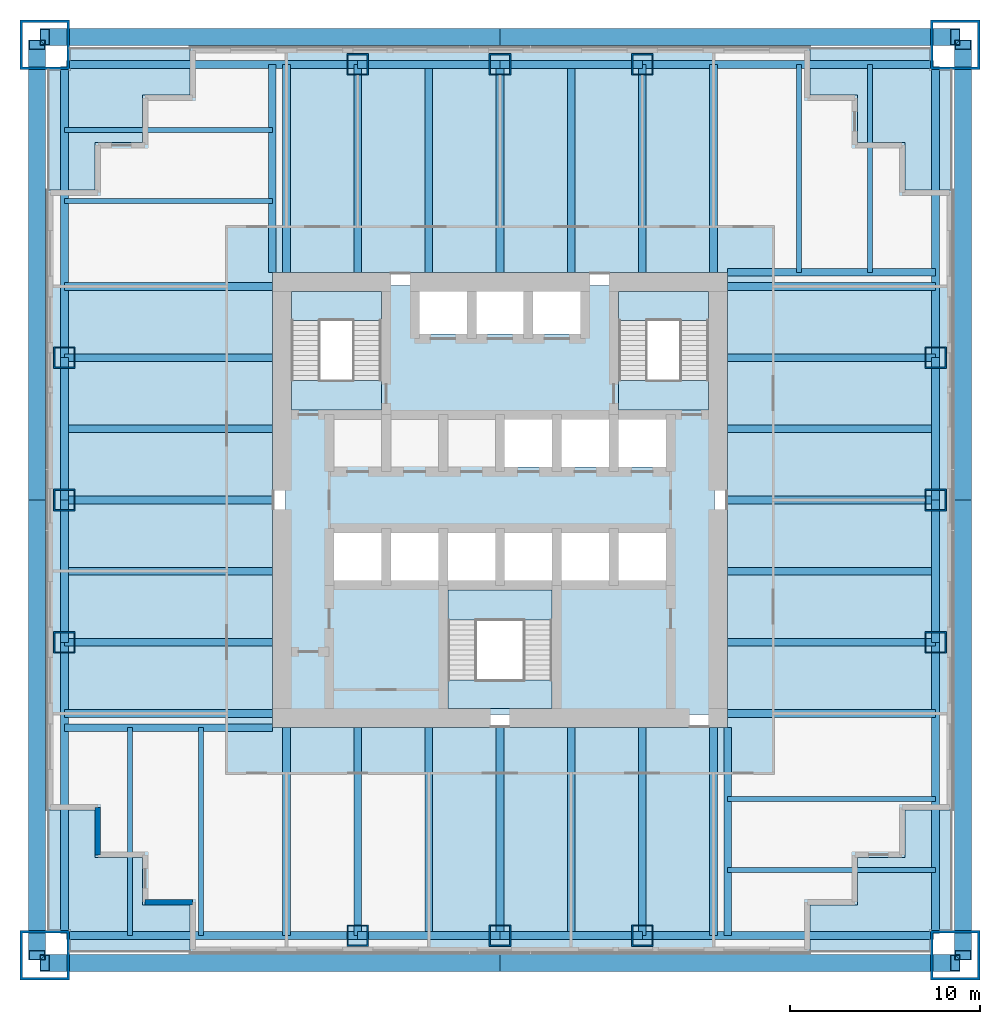
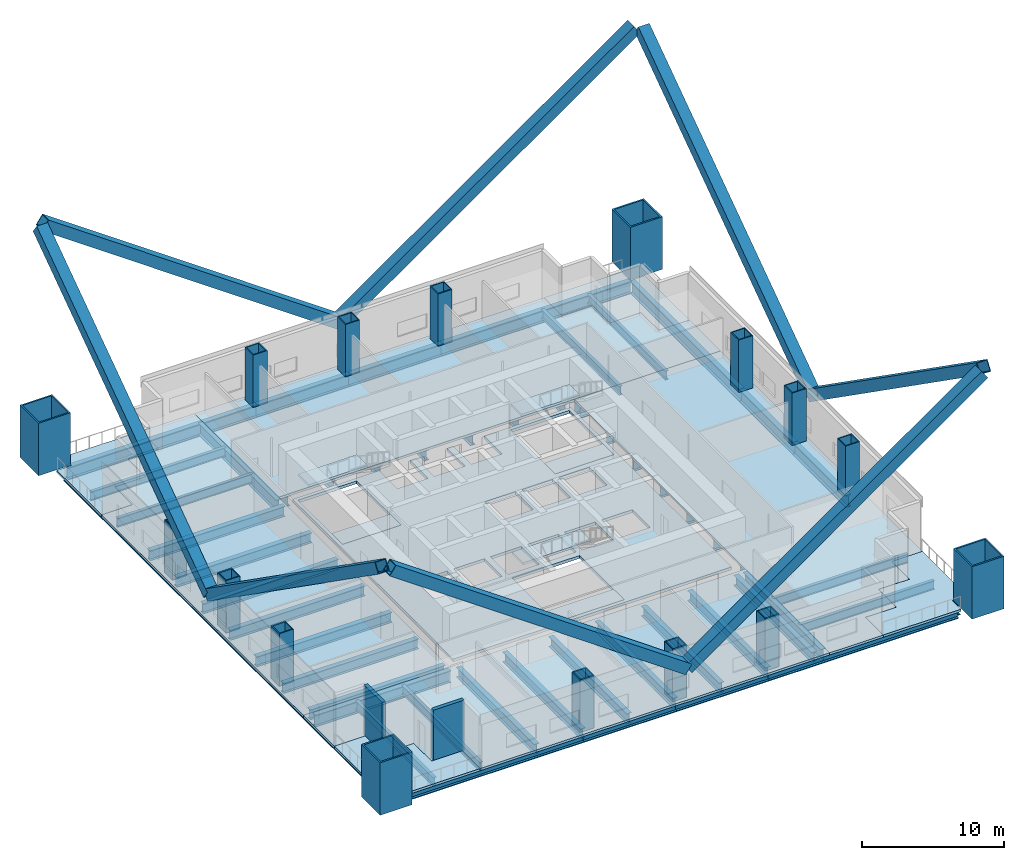
# One storey, part 1 of 7: 56 beams, 16 columns, 15 slabs, 8 members, 2 walls, 3 elements without a shape of their own.
"""IFC4 building model written with IfcOpenShell, lengths in metres."""

from ifc_helpers import new_model, si_unit, direction, frame, frame_2d, origin, origin_2d, place, context, subcontext, project, spatial, polyline, rectangle, hollow_rectangle, i_section, outline, extrude, material, layer, layer_set, material_profile, profile_set, type_object, element, aggregate, save


model = new_model("IFC4")

# Units and contexts
model_context = context("Model", 3, precision=1e-05, world=origin(), true_north=direction((0.0, 1.0)))
body_context = subcontext(model_context, "Body", "Model", "MODEL_VIEW")
ifc_project = project(units=[si_unit("LENGTHUNIT", "METRE"), si_unit("AREAUNIT", "SQUARE_METRE"), si_unit("VOLUMEUNIT", "CUBIC_METRE"), si_unit("PLANEANGLEUNIT", "RADIAN"), si_unit("MASSUNIT", "GRAM", prefix="KILO")], contexts=[model_context])

# Site, building, storey
site_placement = place(None, origin())
site = spatial("IfcSite", under=ifc_project, at=site_placement, CompositionType="ELEMENT")
building_placement = place(site_placement, origin())
building = spatial("IfcBuilding", under=site, at=building_placement, Name="Tarangal Relay Tower", CompositionType="ELEMENT")
storey_placement = place(building_placement, frame((0.0, 0.0, 117.89990234375)))
storey = spatial("IfcBuildingStorey", under=building, at=storey_placement, Name="L23", CompositionType="ELEMENT", Elevation=117.89990234375)

# Columns
ifc_material_1 = material(Name="Steel ASTM A572 Grade 42", Category="steel")
ifc_material_profile_1 = material_profile(ifc_material_1, hollow_rectangle(XDim=2.60009765625, YDim=2.60009765625, WallThickness=0.1298828125, at=origin_2d()), Name="BOX2600X2600X130")
ifc_profile_set_1 = profile_set([ifc_material_profile_1], Name="Steel ASTM A572 Grade 42")
column_type_1 = type_object("IfcColumnType", Name="Mega column BOX2600X2600X130", PredefinedType="COLUMN", material=ifc_profile_set_1)
for number, where, z_axis, x_axis, name in (
    (1, (24.0, 24.0, 0.0), (0.0, 0.0, 1.0), (1.0, 0.0, 0.0), "Mega column MC2 NE L23"),
    (2, (24.0, -24.0, 0.0), (0.0, 0.0, 1.0), (1.0, 0.0, 0.0), "Mega column MC2 SE L23"),
    (3, (-24.0, -24.0, 0.0), (0.0, 0.0, 1.0), (1.0, 0.0, 0.0), "Mega column MC2 SW L23"),
    (4, (-24.0, 24.0, 0.0), (0.0, 0.0, 1.0), (1.0, 0.0, 0.0), "Mega column MC2 NW L23"),
):
    element("IfcColumn", number, at=place(storey_placement, frame(where, z_axis=z_axis, x_axis=x_axis)), inside=storey, type_object=column_type_1, Name=name, PredefinedType="COLUMN", context=body_context, shape_type="SweptSolid", body=[
        extrude(hollow_rectangle(XDim=2.60009765625, YDim=2.60009765625, WallThickness=0.1298828125, at=origin_2d()), origin(), (0.0, 0.0, 1.0), 4.5),
    ])
ifc_material_2 = material(Name="Steel ASTM A572 Grade 50", Category="steel")
ifc_material_profile_2 = material_profile(ifc_material_2, hollow_rectangle(XDim=1.14990234375, YDim=1.14990234375, WallThickness=0.074951171875, at=origin_2d()), Name="BOX1150X1150X75")
ifc_profile_set_2 = profile_set([ifc_material_profile_2], Name="Steel ASTM A572 Grade 50")
column_type_2 = type_object("IfcColumnType", Name="Perimeter column BOX1150X1150X75", PredefinedType="COLUMN", material=ifc_profile_set_2)
for number, where, z_axis, x_axis, name in (
    (5, (-7.5, 22.965087890625, 0.0), (0.0, 0.0, 1.0), (1.0, 0.0, 0.0), "Perimeter column PC3 N L23"),
    (6, (0.0, 22.965087890625, 0.0), (0.0, 0.0, 1.0), (1.0, 0.0, 0.0), "Perimeter column PC3 N L23"),
    (7, (7.5, 22.965087890625, 0.0), (0.0, 0.0, 1.0), (1.0, 0.0, 0.0), "Perimeter column PC3 N L23"),
    (8, (22.965087890625, 7.5, 0.0), (0.0, 0.0, 1.0), (1.0, 0.0, 0.0), "Perimeter column PC3 E L23"),
    (9, (22.965087890625, 0.0, 0.0), (0.0, 0.0, 1.0), (1.0, 0.0, 0.0), "Perimeter column PC3 E L23"),
    (10, (22.965087890625, -7.5, 0.0), (0.0, 0.0, 1.0), (1.0, 0.0, 0.0), "Perimeter column PC3 E L23"),
    (11, (7.5, -22.965087890625, 0.0), (0.0, 0.0, 1.0), (1.0, 0.0, 0.0), "Perimeter column PC3 S L23"),
    (12, (0.0, -22.965087890625, 0.0), (0.0, 0.0, 1.0), (1.0, 0.0, 0.0), "Perimeter column PC3 S L23"),
    (13, (-7.5, -22.965087890625, 0.0), (0.0, 0.0, 1.0), (1.0, 0.0, 0.0), "Perimeter column PC3 S L23"),
    (14, (-22.965087890625, -7.5, 0.0), (0.0, 0.0, 1.0), (1.0, 0.0, 0.0), "Perimeter column PC3 W L23"),
    (15, (-22.965087890625, 0.0, 0.0), (0.0, 0.0, 1.0), (1.0, 0.0, 0.0), "Perimeter column PC3 W L23"),
    (16, (-22.965087890625, 7.5, 0.0), (0.0, 0.0, 1.0), (1.0, 0.0, 0.0), "Perimeter column PC3 W L23"),
):
    element("IfcColumn", number, at=place(storey_placement, frame(where, z_axis=z_axis, x_axis=x_axis)), inside=storey, type_object=column_type_2, Name=name, PredefinedType="COLUMN", context=body_context, shape_type="SweptSolid", body=[
        extrude(hollow_rectangle(XDim=1.14990234375, YDim=1.14990234375, WallThickness=0.074951171875, at=origin_2d()), origin(), (0.0, 0.0, 1.0), 4.5),
    ])

# Beams
ifc_material_3 = material(Name="Steel ASTM A992", Category="steel")
ifc_material_profile_3 = material_profile(ifc_material_3, i_section(OverallWidth=0.2666015625, OverallDepth=0.76953125, WebThickness=0.015625, FlangeThickness=0.025390625, at=origin_2d()), Name="W30X132")
ifc_profile_set_3 = profile_set([ifc_material_profile_3], Name="Steel ASTM A992")
beam_type_1 = type_object("IfcBeamType", Name="Corner beam W30X132", PredefinedType="JOIST", material=ifc_profile_set_3)
for number, where, z_axis, x_axis, name in (
    (17, (15.75, 12.0, -0.584716796875), (0.0, 1.0, 0.0), (-1.0, 0.0, 0.0), "Corner beam CB13 N L23"),
    (18, (19.5, 12.0, -0.584716796875), (0.0, 1.0, 0.0), (-1.0, 0.0, 0.0), "Corner beam CB13 N L23"),
    (19, (12.0, -15.75, -0.584716796875), (1.0, 0.0, 0.0), (0.0, 1.0, 0.0), "Corner beam CB13 E L23"),
    (20, (12.0, -19.5, -0.584716796875), (1.0, 0.0, 0.0), (0.0, 1.0, 0.0), "Corner beam CB13 E L23"),
    (21, (-15.75, -12.0, -0.584716796875), (0.0, -1.0, 0.0), (1.0, 0.0, 0.0), "Corner beam CB13 S L23"),
    (22, (-19.5, -12.0, -0.584716796875), (0.0, -1.0, 0.0), (1.0, 0.0, 0.0), "Corner beam CB13 S L23"),
    (23, (-12.0, 15.75, -0.584716796875), (-1.0, 0.0, 0.0), (0.0, -1.0, 0.0), "Corner beam CB13 W L23"),
    (24, (-12.0, 19.5, -0.584716796875), (-1.0, 0.0, 0.0), (0.0, -1.0, 0.0), "Corner beam CB13 W L23"),
):
    element("IfcBeam", number, at=place(storey_placement, frame(where, z_axis=z_axis, x_axis=x_axis)), inside=storey, type_object=beam_type_1, Name=name, PredefinedType="JOIST", context=body_context, shape_type="SweptSolid", body=[
        extrude(i_section(OverallWidth=0.2666015625, OverallDepth=0.76953125, WebThickness=0.015625, FlangeThickness=0.025390625, at=origin_2d()), origin(), (0.0, 0.0, 1.0), 10.965087890625),
    ])
ifc_material_profile_4 = material_profile(ifc_material_3, i_section(OverallWidth=0.4013671875, OverallDepth=1.01611328125, WebThickness=0.02099609375, FlangeThickness=0.0400390625, at=origin_2d()), Name="W40X277")
ifc_profile_set_4 = profile_set([ifc_material_profile_4], Name="Steel ASTM A992")
beam_type_2 = type_object("IfcBeamType", Name="Corner girder W40X277", PredefinedType="BEAM", material=ifc_profile_set_4)
for number, where, z_axis, x_axis, name in (
    (25, (12.0, 12.0, -0.7080078125), (1.0, 0.0, 0.0), (0.0, 1.0, 0.0), "Corner girder CG3 N L23"),
    (26, (12.0, -12.0, -0.7080078125), (0.0, -1.0, 0.0), (1.0, 0.0, 0.0), "Corner girder CG3 E L23"),
    (27, (-12.0, -12.0, -0.7080078125), (-1.0, 0.0, 0.0), (0.0, -1.0, 0.0), "Corner girder CG3 S L23"),
    (28, (-12.0, 12.0, -0.7080078125), (0.0, 1.0, 0.0), (-1.0, 0.0, 0.0), "Corner girder CG3 W L23"),
):
    element("IfcBeam", number, at=place(storey_placement, frame(where, z_axis=z_axis, x_axis=x_axis)), inside=storey, type_object=beam_type_2, Name=name, PredefinedType="BEAM", context=body_context, shape_type="SweptSolid", body=[
        extrude(i_section(OverallWidth=0.4013671875, OverallDepth=1.01611328125, WebThickness=0.02099609375, FlangeThickness=0.0400390625, at=origin_2d()), origin(), (0.0, 0.0, 1.0), 10.965087890625),
    ])
ifc_material_profile_5 = material_profile(ifc_material_3, i_section(OverallWidth=0.41650390625, OverallDepth=1.0693359375, WebThickness=0.0390625, FlangeThickness=0.070068359375, at=origin_2d()), Name="W40X503")
ifc_profile_set_5 = profile_set([ifc_material_profile_5], Name="Steel ASTM A992")
beam_type_3 = type_object("IfcBeamType", Name="Edge girder W40X503", PredefinedType="SPANDREL", material=ifc_profile_set_5)
beam_1_placement = place(storey_placement, frame((-22.85009765625, 22.965087890625, -0.734619140625), z_axis=(1.0, 0.0, 0.0), x_axis=(0.0, 1.0, 0.0)))
element("IfcBeam", 29, at=beam_1_placement, inside=storey, type_object=beam_type_3, Name="Edge girder EG8 N L23", PredefinedType="SPANDREL", context=body_context, shape_type="SweptSolid", body=[
    extrude(i_section(OverallWidth=0.41650390625, OverallDepth=1.0693359375, WebThickness=0.0390625, FlangeThickness=0.070068359375, at=origin_2d()), origin(), (0.0, 0.0, 1.0), 15.35009765625),
])
for number, where, z_axis, x_axis, name in (
    (30, (-7.5, 22.965087890625, -0.734619140625), (1.0, 0.0, 0.0), (0.0, 1.0, 0.0), "Edge girder EG8 N L23"),
    (31, (0.0, 22.965087890625, -0.734619140625), (1.0, 0.0, 0.0), (0.0, 1.0, 0.0), "Edge girder EG8 N L23"),
):
    element("IfcBeam", number, at=place(storey_placement, frame(where, z_axis=z_axis, x_axis=x_axis)), inside=storey, type_object=beam_type_3, Name=name, PredefinedType="SPANDREL", context=body_context, shape_type="SweptSolid", body=[
        extrude(i_section(OverallWidth=0.41650390625, OverallDepth=1.0693359375, WebThickness=0.0390625, FlangeThickness=0.070068359375, at=origin_2d()), origin(), (0.0, 0.0, 1.0), 7.5),
    ])
for number, where, z_axis, x_axis, name in (
    (32, (7.5, 22.965087890625, -0.734619140625), (1.0, 0.0, 0.0), (0.0, 1.0, 0.0), "Edge girder EG8 N L23"),
    (33, (22.965087890625, 22.85009765625, -0.734619140625), (0.0, -1.0, 0.0), (1.0, 0.0, 0.0), "Edge girder EG8 E L23"),
):
    element("IfcBeam", number, at=place(storey_placement, frame(where, z_axis=z_axis, x_axis=x_axis)), inside=storey, type_object=beam_type_3, Name=name, PredefinedType="SPANDREL", context=body_context, shape_type="SweptSolid", body=[
        extrude(i_section(OverallWidth=0.41650390625, OverallDepth=1.0693359375, WebThickness=0.0390625, FlangeThickness=0.070068359375, at=origin_2d()), origin(), (0.0, 0.0, 1.0), 15.35009765625),
    ])
for number, where, z_axis, x_axis, name in (
    (34, (22.965087890625, 7.5, -0.734619140625), (0.0, -1.0, 0.0), (1.0, 0.0, 0.0), "Edge girder EG8 E L23"),
    (35, (22.965087890625, 0.0, -0.734619140625), (0.0, -1.0, 0.0), (1.0, 0.0, 0.0), "Edge girder EG8 E L23"),
):
    element("IfcBeam", number, at=place(storey_placement, frame(where, z_axis=z_axis, x_axis=x_axis)), inside=storey, type_object=beam_type_3, Name=name, PredefinedType="SPANDREL", context=body_context, shape_type="SweptSolid", body=[
        extrude(i_section(OverallWidth=0.41650390625, OverallDepth=1.0693359375, WebThickness=0.0390625, FlangeThickness=0.070068359375, at=origin_2d()), origin(), (0.0, 0.0, 1.0), 7.5),
    ])
for number, where, z_axis, x_axis, name in (
    (36, (22.965087890625, -7.5, -0.734619140625), (0.0, -1.0, 0.0), (1.0, 0.0, 0.0), "Edge girder EG8 E L23"),
    (37, (22.85009765625, -22.965087890625, -0.734619140625), (-1.0, 0.0, 0.0), (0.0, -1.0, 0.0), "Edge girder EG8 S L23"),
):
    element("IfcBeam", number, at=place(storey_placement, frame(where, z_axis=z_axis, x_axis=x_axis)), inside=storey, type_object=beam_type_3, Name=name, PredefinedType="SPANDREL", context=body_context, shape_type="SweptSolid", body=[
        extrude(i_section(OverallWidth=0.41650390625, OverallDepth=1.0693359375, WebThickness=0.0390625, FlangeThickness=0.070068359375, at=origin_2d()), origin(), (0.0, 0.0, 1.0), 15.35009765625),
    ])
for number, where, z_axis, x_axis, name in (
    (38, (7.5, -22.965087890625, -0.734619140625), (-1.0, 0.0, 0.0), (0.0, -1.0, 0.0), "Edge girder EG8 S L23"),
    (39, (0.0, -22.965087890625, -0.734619140625), (-1.0, 0.0, 0.0), (0.0, -1.0, 0.0), "Edge girder EG8 S L23"),
):
    element("IfcBeam", number, at=place(storey_placement, frame(where, z_axis=z_axis, x_axis=x_axis)), inside=storey, type_object=beam_type_3, Name=name, PredefinedType="SPANDREL", context=body_context, shape_type="SweptSolid", body=[
        extrude(i_section(OverallWidth=0.41650390625, OverallDepth=1.0693359375, WebThickness=0.0390625, FlangeThickness=0.070068359375, at=origin_2d()), origin(), (0.0, 0.0, 1.0), 7.5),
    ])
for number, where, z_axis, x_axis, name in (
    (40, (-7.5, -22.965087890625, -0.734619140625), (-1.0, 0.0, 0.0), (0.0, -1.0, 0.0), "Edge girder EG8 S L23"),
    (41, (-22.965087890625, -22.85009765625, -0.734619140625), (0.0, 1.0, 0.0), (-1.0, 0.0, 0.0), "Edge girder EG8 W L23"),
):
    element("IfcBeam", number, at=place(storey_placement, frame(where, z_axis=z_axis, x_axis=x_axis)), inside=storey, type_object=beam_type_3, Name=name, PredefinedType="SPANDREL", context=body_context, shape_type="SweptSolid", body=[
        extrude(i_section(OverallWidth=0.41650390625, OverallDepth=1.0693359375, WebThickness=0.0390625, FlangeThickness=0.070068359375, at=origin_2d()), origin(), (0.0, 0.0, 1.0), 15.35009765625),
    ])
for number, where, z_axis, x_axis, name in (
    (42, (-22.965087890625, -7.5, -0.734619140625), (0.0, 1.0, 0.0), (-1.0, 0.0, 0.0), "Edge girder EG8 W L23"),
    (43, (-22.965087890625, 0.0, -0.734619140625), (0.0, 1.0, 0.0), (-1.0, 0.0, 0.0), "Edge girder EG8 W L23"),
):
    element("IfcBeam", number, at=place(storey_placement, frame(where, z_axis=z_axis, x_axis=x_axis)), inside=storey, type_object=beam_type_3, Name=name, PredefinedType="SPANDREL", context=body_context, shape_type="SweptSolid", body=[
        extrude(i_section(OverallWidth=0.41650390625, OverallDepth=1.0693359375, WebThickness=0.0390625, FlangeThickness=0.070068359375, at=origin_2d()), origin(), (0.0, 0.0, 1.0), 7.5),
    ])
beam_2_placement = place(storey_placement, frame((-22.965087890625, 7.5, -0.734619140625), z_axis=(0.0, 1.0, 0.0), x_axis=(-1.0, 0.0, 0.0)))
element("IfcBeam", 44, at=beam_2_placement, inside=storey, type_object=beam_type_3, Name="Edge girder EG8 W L23", PredefinedType="SPANDREL", context=body_context, shape_type="SweptSolid", body=[
    extrude(i_section(OverallWidth=0.41650390625, OverallDepth=1.0693359375, WebThickness=0.0390625, FlangeThickness=0.070068359375, at=origin_2d()), origin(), (0.0, 0.0, 1.0), 15.35009765625),
])
ifc_material_profile_6 = material_profile(ifc_material_3, i_section(OverallWidth=0.40380859375, OverallDepth=0.86865234375, WebThickness=0.02099609375, FlangeThickness=0.03564453125, at=origin_2d()), Name="W33X241")
ifc_profile_set_6 = profile_set([ifc_material_profile_6], Name="Steel ASTM A992")
beam_type_4 = type_object("IfcBeamType", Name="Floor beam W33X241", PredefinedType="BEAM", material=ifc_profile_set_6)
for number, where, z_axis, x_axis, name in (
    (45, (-11.25, 12.0, -0.63427734375), (0.0, 1.0, 0.0), (-1.0, 0.0, 0.0), "Floor beam RB11 N L23"),
    (46, (-7.5, 12.0, -0.63427734375), (0.0, 1.0, 0.0), (-1.0, 0.0, 0.0), "Floor beam RB11 N L23"),
    (47, (-3.75, 12.0, -0.63427734375), (0.0, 1.0, 0.0), (-1.0, 0.0, 0.0), "Floor beam RB11 N L23"),
    (48, (0.0, 12.0, -0.63427734375), (0.0, 1.0, 0.0), (-1.0, 0.0, 0.0), "Floor beam RB11 N L23"),
    (49, (3.75, 12.0, -0.63427734375), (0.0, 1.0, 0.0), (-1.0, 0.0, 0.0), "Floor beam RB11 N L23"),
    (50, (7.5, 12.0, -0.63427734375), (0.0, 1.0, 0.0), (-1.0, 0.0, 0.0), "Floor beam RB11 N L23"),
    (51, (11.25, 12.0, -0.63427734375), (0.0, 1.0, 0.0), (-1.0, 0.0, 0.0), "Floor beam RB11 N L23"),
    (52, (12.0, 11.25, -0.63427734375), (1.0, 0.0, 0.0), (0.0, 1.0, 0.0), "Floor beam RB11 E L23"),
    (53, (12.0, 7.5, -0.63427734375), (1.0, 0.0, 0.0), (0.0, 1.0, 0.0), "Floor beam RB11 E L23"),
    (54, (12.0, 3.75, -0.63427734375), (1.0, 0.0, 0.0), (0.0, 1.0, 0.0), "Floor beam RB11 E L23"),
    (55, (12.0, 0.0, -0.63427734375), (1.0, 0.0, 0.0), (0.0, 1.0, 0.0), "Floor beam RB11 E L23"),
    (56, (12.0, -3.75, -0.63427734375), (1.0, 0.0, 0.0), (0.0, 1.0, 0.0), "Floor beam RB11 E L23"),
    (57, (12.0, -7.5, -0.63427734375), (1.0, 0.0, 0.0), (0.0, 1.0, 0.0), "Floor beam RB11 E L23"),
    (58, (12.0, -11.25, -0.63427734375), (1.0, 0.0, 0.0), (0.0, 1.0, 0.0), "Floor beam RB11 E L23"),
    (59, (11.25, -12.0, -0.63427734375), (0.0, -1.0, 0.0), (1.0, 0.0, 0.0), "Floor beam RB11 S L23"),
    (60, (7.5, -12.0, -0.63427734375), (0.0, -1.0, 0.0), (1.0, 0.0, 0.0), "Floor beam RB11 S L23"),
    (61, (3.75, -12.0, -0.63427734375), (0.0, -1.0, 0.0), (1.0, 0.0, 0.0), "Floor beam RB11 S L23"),
    (62, (0.0, -12.0, -0.63427734375), (0.0, -1.0, 0.0), (1.0, 0.0, 0.0), "Floor beam RB11 S L23"),
    (63, (-3.75, -12.0, -0.63427734375), (0.0, -1.0, 0.0), (1.0, 0.0, 0.0), "Floor beam RB11 S L23"),
    (64, (-7.5, -12.0, -0.63427734375), (0.0, -1.0, 0.0), (1.0, 0.0, 0.0), "Floor beam RB11 S L23"),
    (65, (-11.25, -12.0, -0.63427734375), (0.0, -1.0, 0.0), (1.0, 0.0, 0.0), "Floor beam RB11 S L23"),
    (66, (-12.0, -11.25, -0.63427734375), (-1.0, 0.0, 0.0), (0.0, -1.0, 0.0), "Floor beam RB11 W L23"),
    (67, (-12.0, -7.5, -0.63427734375), (-1.0, 0.0, 0.0), (0.0, -1.0, 0.0), "Floor beam RB11 W L23"),
    (68, (-12.0, -3.75, -0.63427734375), (-1.0, 0.0, 0.0), (0.0, -1.0, 0.0), "Floor beam RB11 W L23"),
    (69, (-12.0, 0.0, -0.63427734375), (-1.0, 0.0, 0.0), (0.0, -1.0, 0.0), "Floor beam RB11 W L23"),
    (70, (-12.0, 3.75, -0.63427734375), (-1.0, 0.0, 0.0), (0.0, -1.0, 0.0), "Floor beam RB11 W L23"),
    (71, (-12.0, 7.5, -0.63427734375), (-1.0, 0.0, 0.0), (0.0, -1.0, 0.0), "Floor beam RB11 W L23"),
    (72, (-12.0, 11.25, -0.63427734375), (-1.0, 0.0, 0.0), (0.0, -1.0, 0.0), "Floor beam RB11 W L23"),
):
    element("IfcBeam", number, at=place(storey_placement, frame(where, z_axis=z_axis, x_axis=x_axis)), inside=storey, type_object=beam_type_4, Name=name, PredefinedType="BEAM", context=body_context, shape_type="SweptSolid", body=[
        extrude(i_section(OverallWidth=0.40380859375, OverallDepth=0.86865234375, WebThickness=0.02099609375, FlangeThickness=0.03564453125, at=origin_2d()), origin(), (0.0, 0.0, 1.0), 10.965087890625),
    ])

# Members
ifc_material_profile_7 = material_profile(ifc_material_2, hollow_rectangle(XDim=0.89990234375, YDim=0.89990234375, WallThickness=0.050048828125, at=origin_2d()), Name="BOX900X900X50")
ifc_profile_set_7 = profile_set([ifc_material_profile_7], Name="Steel ASTM A572 Grade 50")
member_type = type_object("IfcMemberType", Name="Mega brace BOX900X900X50", PredefinedType="BRACE", material=ifc_profile_set_7)
for number, where, z_axis, x_axis, name in (
    (73, (0.0, 24.39990234375, 3.375), (0.818029158386, 0.0, 0.57517675199), (0.0, 1.0, 0.0), "Mega brace MB2 N face module 1"),
    (74, (0.0, 24.39990234375, 3.375), (-0.818029158386, 0.0, 0.57517675199), (0.0, -1.0, 0.0), "Mega brace MB2 N face module 1"),
    (75, (24.39990234375, 0.0, 3.375), (0.0, -0.818029158386, 0.57517675199), (1.0, 0.0, 0.0), "Mega brace MB2 E face module 1"),
    (76, (24.39990234375, 0.0, 3.375), (0.0, 0.818029158386, 0.57517675199), (-1.0, 0.0, 0.0), "Mega brace MB2 E face module 1"),
    (77, (0.0, -24.39990234375, 3.375), (-0.818029158386, 0.0, 0.57517675199), (0.0, -1.0, 0.0), "Mega brace MB2 S face module 1"),
    (78, (0.0, -24.39990234375, 3.375), (0.818029158386, 0.0, 0.57517675199), (0.0, 1.0, 0.0), "Mega brace MB2 S face module 1"),
    (79, (-24.39990234375, 0.0, 3.375), (0.0, 0.818029158386, 0.57517675199), (-1.0, 0.0, 0.0), "Mega brace MB2 W face module 1"),
    (80, (-24.39990234375, 0.0, 3.375), (0.0, -0.818029158386, 0.57517675199), (1.0, 0.0, 0.0), "Mega brace MB2 W face module 1"),
):
    element("IfcMember", number, at=place(storey_placement, frame(where, z_axis=z_axis, x_axis=x_axis)), inside=storey, type_object=member_type, Name=name, PredefinedType="BRACE", context=body_context, shape_type="SweptSolid", body=[
        extrude(hollow_rectangle(XDim=0.89990234375, YDim=0.89990234375, WallThickness=0.050048828125, at=origin_2d()), origin(), (0.0, 0.0, 1.0), 29.3388671875),
    ])

# Slabs
ifc_material_4 = material(Name="Concrete fc' 35 MPa", Category="concrete")
ifc_layer_1 = layer(ifc_material_4, 0.25)
ifc_layer_set_1 = layer_set([ifc_layer_1], Name="Core floor slab 250")
slab_type_1 = type_object("IfcSlabType", Name="Core floor slab 250", PredefinedType="FLOOR", material=ifc_layer_set_1)
slab_1_placement = place(storey_placement, frame((0.0, 0.0, -0.25)))
element("IfcSlab", 81, at=slab_1_placement, inside=storey, type_object=slab_type_1, Name="Core floor slab L23", PredefinedType="FLOOR", context=body_context, shape_type="SweptSolid", body=[
    extrude(outline(polyline([(11.300048828125, 11.300048828125), (11.300048828125, -11.300048828125), (-11.300048828125, -11.300048828125), (-11.300048828125, 11.300048828125), (-4.25, 11.300048828125), (-4.25, 8.75), (-1.75, 8.75), (-1.75, 11.300048828125), (-1.25, 11.300048828125), (-1.25, 8.75), (1.25, 8.75), (1.25, 11.300048828125), (1.75, 11.300048828125), (1.75, 8.75), (4.25, 8.75), (4.25, 11.300048828125), (11.300048828125, 11.300048828125)]), holes=[polyline([(2.75, -4.75), (-2.75, -4.75), (-2.75, -11.0), (2.75, -11.0), (2.75, -4.75)]), polyline([(-6.25, -4.25), (-6.25, -1.75), (-8.75, -1.75), (-8.75, -4.25), (-6.25, -4.25)]), polyline([(-3.25, -4.25), (-3.25, -1.75), (-5.75, -1.75), (-5.75, -4.25), (-3.25, -4.25)]), polyline([(-0.25, -4.25), (-0.25, -1.75), (-2.75, -1.75), (-2.75, -4.25), (-0.25, -4.25)]), polyline([(2.75, 1.75), (2.75, 4.25), (0.25, 4.25), (0.25, 1.75), (2.75, 1.75)]), polyline([(-6.25, 4.75), (-6.25, 11.0), (-11.0, 11.0), (-11.0, 4.75), (-6.25, 4.75)]), polyline([(2.75, -4.25), (2.75, -1.75), (0.25, -1.75), (0.25, -4.25), (2.75, -4.25)]), polyline([(5.75, -4.25), (5.75, -1.75), (3.25, -1.75), (3.25, -4.25), (5.75, -4.25)]), polyline([(8.75, -4.25), (8.75, -1.75), (6.25, -1.75), (6.25, -4.25), (8.75, -4.25)]), polyline([(5.75, 1.75), (5.75, 4.25), (3.25, 4.25), (3.25, 1.75), (5.75, 1.75)]), polyline([(8.75, 1.75), (8.75, 4.25), (6.25, 4.25), (6.25, 1.75), (8.75, 1.75)]), polyline([(11.0, 4.75), (11.0, 11.0), (6.25, 11.0), (6.25, 4.75), (11.0, 4.75)])]), origin(), (0.0, 0.0, 1.0), 0.25),
])
ifc_layer_2 = layer(ifc_material_4, 0.199951171875)
ifc_layer_set_2 = layer_set([ifc_layer_2], Name="Floor slab 200")
slab_type_2 = type_object("IfcSlabType", Name="Floor slab 200", PredefinedType="FLOOR", material=ifc_layer_set_2)
slab_2_placement = place(storey_placement, frame((0.0, 0.0, -0.199951171875)))
element("IfcSlab", 82, at=slab_2_placement, inside=storey, type_object=slab_type_2, Name="Floor slab FS2 L23 north bay", PredefinedType="FLOOR", context=body_context, shape_type="SweptSolid", body=[
    extrude(outline(polyline([(16.35009765625, 23.85009765625), (16.35009765625, 21.35009765625), (18.85009765625, 21.35009765625), (18.85009765625, 18.85009765625), (21.35009765625, 18.85009765625), (21.35009765625, 16.35009765625), (23.85009765625, 16.35009765625), (23.85009765625, 12.0), (-12.0, 12.0), (-12.0, 23.85009765625), (16.35009765625, 23.85009765625)])), origin(), (0.0, 0.0, 1.0), 0.199951171875),
])
slab_3_placement = place(storey_placement, frame((0.0, 0.0, -0.199951171875)))
element("IfcSlab", 83, at=slab_3_placement, inside=storey, type_object=slab_type_2, Name="Floor slab FS2 L23 east bay", PredefinedType="FLOOR", context=body_context, shape_type="SweptSolid", body=[
    extrude(outline(polyline([(23.85009765625, -16.35009765625), (21.35009765625, -16.35009765625), (21.35009765625, -18.85009765625), (18.85009765625, -18.85009765625), (18.85009765625, -21.35009765625), (16.35009765625, -21.35009765625), (16.35009765625, -23.85009765625), (12.0, -23.85009765625), (12.0, 12.0), (23.85009765625, 12.0), (23.85009765625, -16.35009765625)])), origin(), (0.0, 0.0, 1.0), 0.199951171875),
])
slab_4_placement = place(storey_placement, frame((0.0, 0.0, -0.199951171875)))
element("IfcSlab", 84, at=slab_4_placement, inside=storey, type_object=slab_type_2, Name="Floor slab FS2 L23 south bay", PredefinedType="FLOOR", context=body_context, shape_type="SweptSolid", body=[
    extrude(outline(polyline([(-16.35009765625, -23.85009765625), (-16.35009765625, -21.35009765625), (-18.85009765625, -21.35009765625), (-18.85009765625, -18.85009765625), (-21.35009765625, -18.85009765625), (-21.35009765625, -16.35009765625), (-23.85009765625, -16.35009765625), (-23.85009765625, -12.0), (12.0, -12.0), (12.0, -23.85009765625), (-16.35009765625, -23.85009765625)])), origin(), (0.0, 0.0, 1.0), 0.199951171875),
])
slab_5_placement = place(storey_placement, frame((0.0, 0.0, -0.199951171875)))
element("IfcSlab", 85, at=slab_5_placement, inside=storey, type_object=slab_type_2, Name="Floor slab FS2 L23 west bay", PredefinedType="FLOOR", context=body_context, shape_type="SweptSolid", body=[
    extrude(outline(polyline([(-12.0, 23.85009765625), (-12.0, -12.0), (-23.85009765625, -12.0), (-23.85009765625, 16.35009765625), (-21.35009765625, 16.35009765625), (-21.35009765625, 18.85009765625), (-18.85009765625, 18.85009765625), (-18.85009765625, 21.35009765625), (-16.35009765625, 21.35009765625), (-16.35009765625, 23.85009765625), (-12.0, 23.85009765625)])), origin(), (0.0, 0.0, 1.0), 0.199951171875),
])

# Stair, slabs
ifc_material_5 = material(Name="Steel ASTM A992 stair flight", Category="steel")
stair_type = type_object("IfcStairType", Name="Core stair 1500", PredefinedType="HALF_TURN_STAIR", material=ifc_material_5)
stair_1_placement = place(storey_placement, origin())
stair_1 = element("IfcStair", 86, at=stair_1_placement, inside=storey, type_object=stair_type, Name="Stair ST-A L23", PredefinedType="HALF_TURN_STAIR")
ifc_layer_3 = layer(ifc_material_4, 0.199951171875)
ifc_layer_set_3 = layer_set([ifc_layer_3], Name="Stair landing 200")
slab_type_3 = type_object("IfcSlabType", Name="Stair landing 200", PredefinedType="LANDING", material=ifc_layer_set_3)
slab_6_placement = place(storey_placement, frame((0.0, 0.0, -0.199951171875)))
slab_6 = element("IfcSlab", 87, at=slab_6_placement, type_object=slab_type_3, Name="ST-A landing 1", PredefinedType="LANDING", context=body_context, shape_type="SweptSolid", body=[
    extrude(outline(polyline([(-11.0, 4.75), (-6.25, 4.75), (-6.25, 6.300048828125), (-11.0, 6.300048828125), (-11.0, 4.75)])), origin(), (0.0, 0.0, 1.0), 0.199951171875),
])
slab_7_placement = place(storey_placement, frame((0.0, 0.0, 2.050048828125)))
slab_7 = element("IfcSlab", 88, at=slab_7_placement, type_object=slab_type_3, Name="ST-A landing 2", PredefinedType="LANDING", context=body_context, shape_type="SweptSolid", body=[
    extrude(outline(polyline([(-11.0, 9.468017578125), (-6.25, 9.468017578125), (-6.25, 11.0), (-11.0, 11.0), (-11.0, 9.468017578125)])), origin(), (0.0, 0.0, 1.0), 0.199951171875),
])
aggregate(stair_1, [slab_6, slab_7])

stair_2_placement = place(storey_placement, origin())
stair_2 = element("IfcStair", 89, at=stair_2_placement, inside=storey, type_object=stair_type, Name="Stair ST-B L23", PredefinedType="HALF_TURN_STAIR")
slab_8_placement = place(storey_placement, frame((0.0, 0.0, -0.199951171875)))
slab_8 = element("IfcSlab", 90, at=slab_8_placement, type_object=slab_type_3, Name="ST-B landing 1", PredefinedType="LANDING", context=body_context, shape_type="SweptSolid", body=[
    extrude(outline(polyline([(6.25, 4.75), (11.0, 4.75), (11.0, 6.300048828125), (6.25, 6.300048828125), (6.25, 4.75)])), origin(), (0.0, 0.0, 1.0), 0.199951171875),
])
slab_9_placement = place(storey_placement, frame((0.0, 0.0, 2.050048828125)))
slab_9 = element("IfcSlab", 91, at=slab_9_placement, type_object=slab_type_3, Name="ST-B landing 2", PredefinedType="LANDING", context=body_context, shape_type="SweptSolid", body=[
    extrude(outline(polyline([(6.25, 9.468017578125), (11.0, 9.468017578125), (11.0, 11.0), (6.25, 11.0), (6.25, 9.468017578125)])), origin(), (0.0, 0.0, 1.0), 0.199951171875),
])
aggregate(stair_2, [slab_8, slab_9])

stair_3_placement = place(storey_placement, origin())
stair_3 = element("IfcStair", 92, at=stair_3_placement, inside=storey, type_object=stair_type, Name="Stair ST-C L23", PredefinedType="HALF_TURN_STAIR")
slab_10_placement = place(storey_placement, frame((0.0, 0.0, -0.199951171875)))
slab_10 = element("IfcSlab", 93, at=slab_10_placement, type_object=slab_type_3, Name="ST-C landing 1", PredefinedType="LANDING", context=body_context, shape_type="SweptSolid", body=[
    extrude(outline(polyline([(-2.75, -11.0), (2.75, -11.0), (2.75, -9.5), (-2.75, -9.5), (-2.75, -11.0)])), origin(), (0.0, 0.0, 1.0), 0.199951171875),
])
slab_11_placement = place(storey_placement, frame((0.0, 0.0, 2.050048828125)))
slab_11 = element("IfcSlab", 94, at=slab_11_placement, type_object=slab_type_3, Name="ST-C landing 2", PredefinedType="LANDING", context=body_context, shape_type="SweptSolid", body=[
    extrude(outline(polyline([(-2.75, -6.33203125), (2.75, -6.33203125), (2.75, -4.75), (-2.75, -4.75), (-2.75, -6.33203125)])), origin(), (0.0, 0.0, 1.0), 0.199951171875),
])
aggregate(stair_3, [slab_10, slab_11])

# Slabs
ifc_layer_4 = layer(ifc_material_4, 0.199951171875)
ifc_layer_set_4 = layer_set([ifc_layer_4], Name="Terrace slab 200")
slab_type_4 = type_object("IfcSlabType", Name="Terrace slab 200", PredefinedType="FLOOR", material=ifc_layer_set_4)
slab_12_placement = place(storey_placement, frame((0.0, 0.0, -0.199951171875)))
element("IfcSlab", 95, at=slab_12_placement, inside=storey, type_object=slab_type_4, Name="Corner terrace NE L23", PredefinedType="FLOOR", context=body_context, shape_type="SweptSolid", body=[
    extrude(outline(polyline([(16.35009765625, 23.85009765625), (16.35009765625, 21.35009765625), (18.85009765625, 21.35009765625), (18.85009765625, 18.85009765625), (21.35009765625, 18.85009765625), (21.35009765625, 16.35009765625), (23.85009765625, 16.35009765625), (23.85009765625, 22.64990234375), (22.64990234375, 22.64990234375), (22.64990234375, 23.85009765625), (16.35009765625, 23.85009765625)])), origin(), (0.0, 0.0, 1.0), 0.199951171875),
])
slab_13_placement = place(storey_placement, frame((0.0, 0.0, -0.199951171875)))
element("IfcSlab", 96, at=slab_13_placement, inside=storey, type_object=slab_type_4, Name="Corner terrace SE L23", PredefinedType="FLOOR", context=body_context, shape_type="SweptSolid", body=[
    extrude(outline(polyline([(23.85009765625, -16.35009765625), (21.35009765625, -16.35009765625), (21.35009765625, -18.85009765625), (18.85009765625, -18.85009765625), (18.85009765625, -21.35009765625), (16.35009765625, -21.35009765625), (16.35009765625, -23.85009765625), (22.64990234375, -23.85009765625), (22.64990234375, -22.64990234375), (23.85009765625, -22.64990234375), (23.85009765625, -16.35009765625)])), origin(), (0.0, 0.0, 1.0), 0.199951171875),
])
slab_14_placement = place(storey_placement, frame((0.0, 0.0, -0.199951171875)))
element("IfcSlab", 97, at=slab_14_placement, inside=storey, type_object=slab_type_4, Name="Corner terrace SW L23", PredefinedType="FLOOR", context=body_context, shape_type="SweptSolid", body=[
    extrude(outline(polyline([(-16.35009765625, -23.85009765625), (-16.35009765625, -21.35009765625), (-18.85009765625, -21.35009765625), (-18.85009765625, -18.85009765625), (-21.35009765625, -18.85009765625), (-21.35009765625, -16.35009765625), (-23.85009765625, -16.35009765625), (-23.85009765625, -22.64990234375), (-22.64990234375, -22.64990234375), (-22.64990234375, -23.85009765625), (-16.35009765625, -23.85009765625)])), origin(), (0.0, 0.0, 1.0), 0.199951171875),
])
slab_15_placement = place(storey_placement, frame((0.0, 0.0, -0.199951171875)))
element("IfcSlab", 98, at=slab_15_placement, inside=storey, type_object=slab_type_4, Name="Corner terrace NW L23", PredefinedType="FLOOR", context=body_context, shape_type="SweptSolid", body=[
    extrude(outline(polyline([(-23.85009765625, 16.35009765625), (-21.35009765625, 16.35009765625), (-21.35009765625, 18.85009765625), (-18.85009765625, 18.85009765625), (-18.85009765625, 21.35009765625), (-16.35009765625, 21.35009765625), (-16.35009765625, 23.85009765625), (-22.64990234375, 23.85009765625), (-22.64990234375, 22.64990234375), (-23.85009765625, 22.64990234375), (-23.85009765625, 16.35009765625)])), origin(), (0.0, 0.0, 1.0), 0.199951171875),
])

# Walls
ifc_material_6 = material(Name="Insulated precast concrete fc' 40 MPa", Category="concrete")
ifc_layer_5 = layer(ifc_material_6, 0.300048828125)
ifc_layer_set_5 = layer_set([ifc_layer_5], Name="Insulated precast concrete fc' 40 MPa")
wall_type = type_object("IfcWallType", Name="Facade wall precast 300", PredefinedType="SOLIDWALL", material=ifc_layer_set_5)
for number, where, z_axis, x_axis, name in (
    (99, (-16.199951171875, -21.199951171875, 0.0), (0.0, 0.0, 1.0), (-1.0, 0.0, 0.0), "Facade wall S facade L23"),
    (100, (-21.199951171875, -18.699951171875, 0.0), (0.0, 0.0, 1.0), (0.0, 1.0, 0.0), "Facade wall S facade L23"),
):
    element("IfcWall", number, at=place(storey_placement, frame(where, z_axis=z_axis, x_axis=x_axis)), inside=storey, type_object=wall_type, Name=name, PredefinedType="SOLIDWALL", context=body_context, shape_type="SweptSolid", body=[
        extrude(rectangle(XDim=2.5, YDim=0.300048828125, at=frame_2d((1.25, 0.0))), origin(), (0.0, 0.0, 1.0), 4.300048828125),
    ])

save(model, "model.ifc")
